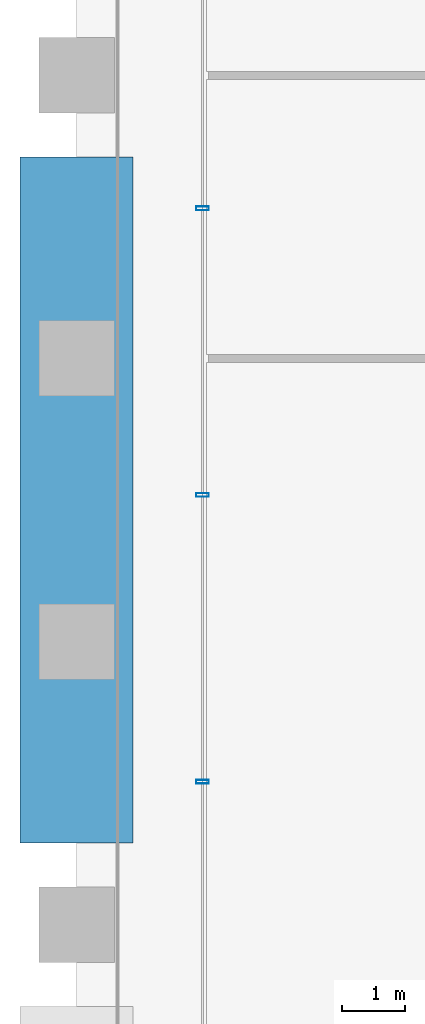
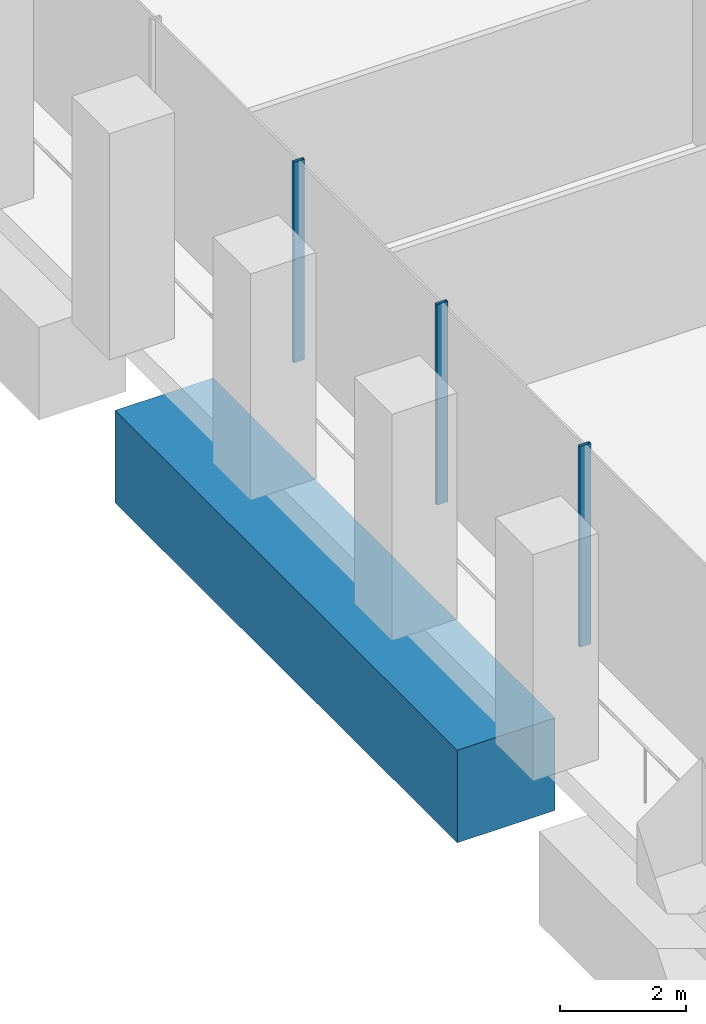
# One storey, part 5 of 32: 3 members, 1 beam, 1 element without a shape of its own.
"""IFC4 building model written with IfcOpenShell, lengths in metres."""

from ifc_helpers import new_model, si_unit, direction, frame, origin, origin_2d, place, context, subcontext, project, spatial, rectangle, hollow_rectangle, extrude, material, material_profile, profile_set, type_object, element, aggregate, save


model = new_model("IFC4")

# Units and contexts
model_context = context("Model", 3, precision=1e-05, world=origin(), true_north=direction((0.0, 1.0)))
body_context = subcontext(model_context, "Body", "Model", "MODEL_VIEW")
ifc_project = project(units=[si_unit("LENGTHUNIT", "METRE"), si_unit("AREAUNIT", "SQUARE_METRE"), si_unit("VOLUMEUNIT", "CUBIC_METRE"), si_unit("PLANEANGLEUNIT", "RADIAN"), si_unit("MASSUNIT", "GRAM", prefix="KILO")], contexts=[model_context])

# Site, building, storey
site_placement = place(None, origin())
site = spatial("IfcSite", under=ifc_project, at=site_placement, CompositionType="ELEMENT")
building_placement = place(site_placement, origin())
building = spatial("IfcBuilding", under=site, at=building_placement, Name="Altepetl Exchange Towers", CompositionType="ELEMENT")
storey_placement = place(building_placement, frame((0.0, 0.0, 21.0)))
storey = spatial("IfcBuildingStorey", under=building, at=storey_placement, Name="L04", CompositionType="ELEMENT", Elevation=21.0)

# Curtain wall, members
ifc_material_1 = material(Name="Aluminium 6063-T6 glazing", Category="aluminium")
curtain_wall_type = type_object("IfcCurtainWallType", Name="Trading floor glazing system", PredefinedType="NOTDEFINED", material=ifc_material_1)
curtain_wall_placement = place(storey_placement, origin())
curtain_wall = element("IfcCurtainWall", 1, at=curtain_wall_placement, inside=storey, type_object=curtain_wall_type, Name="CW2 run", PredefinedType="NOTDEFINED")
ifc_material_2 = material(Name="Aluminium 6063-T6", Category="aluminium")
ifc_material_profile_1 = material_profile(ifc_material_2, hollow_rectangle(XDim=0.06005859375, YDim=0.199951171875, WallThickness=0.0029296875, at=origin_2d()), Name="Mullion 60x200 aluminium")
ifc_profile_set_1 = profile_set([ifc_material_profile_1], Name="Aluminium 6063-T6")
member_type = type_object("IfcMemberType", Name="Mullion 60x200 aluminium", PredefinedType="MULLION", material=ifc_profile_set_1)
member_1_placement = place(storey_placement, frame((29.0, 56.3857421875, 0.0), z_axis=(0.0, 0.0, 1.0), x_axis=(0.0, -1.0, 0.0)))
member_1 = element("IfcMember", 2, at=member_1_placement, type_object=member_type, Name="MU2 mullion", PredefinedType="MULLION", context=body_context, shape_type="SweptSolid", body=[
    extrude(hollow_rectangle(XDim=0.06005859375, YDim=0.199951171875, WallThickness=0.0029296875, at=origin_2d()), origin(), (0.0, 0.0, 1.0), 3.89990234375),
])
member_2_placement = place(storey_placement, frame((29.0, 51.82861328125, 0.0), z_axis=(0.0, 0.0, 1.0), x_axis=(0.0, -1.0, 0.0)))
member_2 = element("IfcMember", 3, at=member_2_placement, type_object=member_type, Name="MU2 mullion", PredefinedType="MULLION", context=body_context, shape_type="SweptSolid", body=[
    extrude(hollow_rectangle(XDim=0.06005859375, YDim=0.199951171875, WallThickness=0.0029296875, at=origin_2d()), origin(), (0.0, 0.0, 1.0), 3.89990234375),
])
member_3_placement = place(storey_placement, frame((29.0, 47.271484375, 0.0), z_axis=(0.0, 0.0, 1.0), x_axis=(0.0, -1.0, 0.0)))
member_3 = element("IfcMember", 4, at=member_3_placement, type_object=member_type, Name="MU2 mullion", PredefinedType="MULLION", context=body_context, shape_type="SweptSolid", body=[
    extrude(hollow_rectangle(XDim=0.06005859375, YDim=0.199951171875, WallThickness=0.0029296875, at=origin_2d()), origin(), (0.0, 0.0, 1.0), 3.89990234375),
])
aggregate(curtain_wall, [member_1, member_2, member_3])

# Beam
ifc_material_3 = material(Name="Concrete C60/75", Category="concrete")
ifc_material_profile_2 = material_profile(ifc_material_3, rectangle(XDim=1.800048828125, YDim=1.800048828125, at=origin_2d()), Name="1800 x 1800")
ifc_profile_set_2 = profile_set([ifc_material_profile_2], Name="Concrete C60/75")
beam_type = type_object("IfcBeamType", Name="Transfer girder 1800x1800", PredefinedType="BEAM", material=ifc_profile_set_2)
beam_placement = place(storey_placement, frame((27.0, 46.300048828125, -1.35009765625), z_axis=(0.0, 1.0, 0.0), x_axis=(-1.0, 0.0, 0.0)))
element("IfcBeam", 5, at=beam_placement, inside=storey, type_object=beam_type, Name="bm:A:L04:tg10", PredefinedType="BEAM", context=body_context, shape_type="SweptSolid", body=[
    extrude(rectangle(XDim=1.800048828125, YDim=1.800048828125, at=origin_2d()), origin(), (0.0, 0.0, 1.0), 10.89990234375),
])

save(model, "model.ifc")
